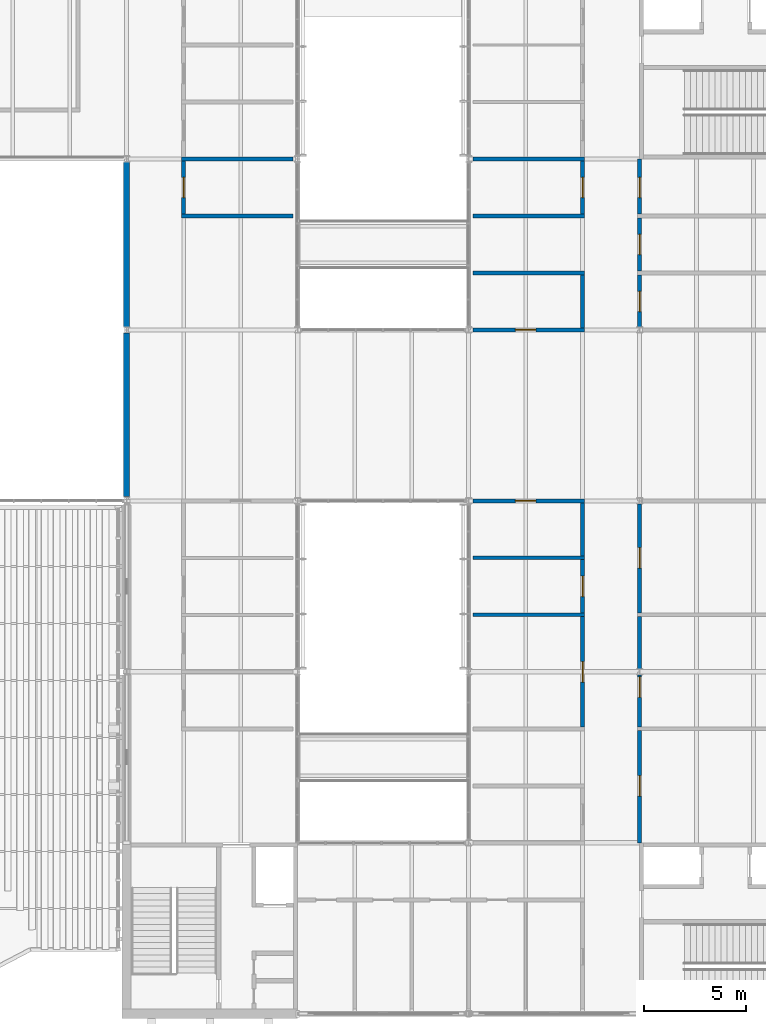
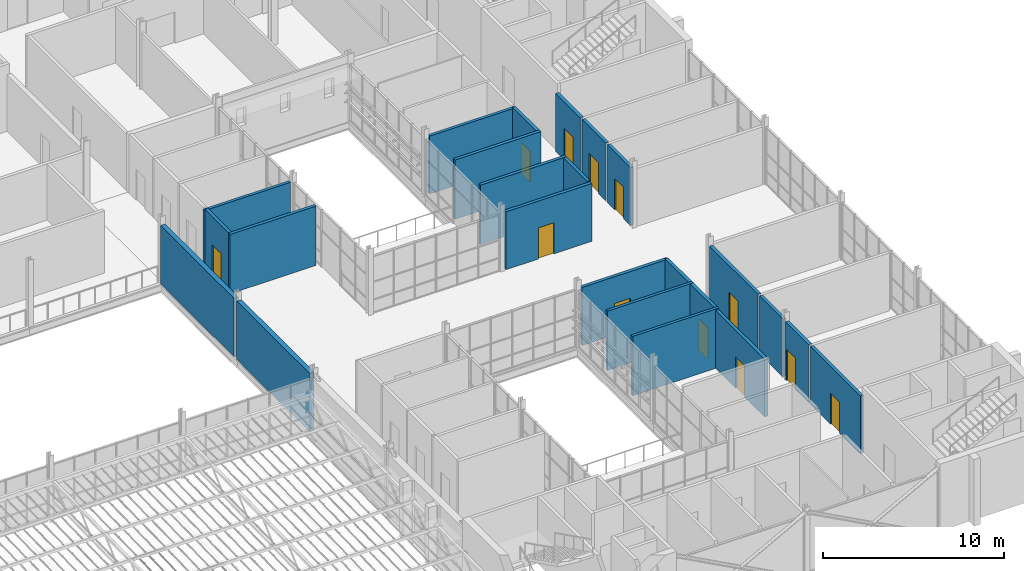
# One storey, part 89 of 129: 24 walls, 12 doors, 12 openings.
"""IFC4 building model written with IfcOpenShell, lengths in metres."""

import ifcopenshell
import ifcopenshell.guid

model = None  # the IFC model being written
_history = None  # IfcOwnerHistory: only IFC2X3 demands one
_inside = {}  # id of a spatial element -> (the spatial element, [elements in it])
_under = {}  # id of a project, library or spatial element -> (it, [spatial elements below it])
_declared = {}  # id of a project -> (the project, [libraries it declares])
_typed = {}  # id of a type object -> (the type object, [elements of that type])
_made_of = {}  # id of a material, layer set ... -> (it, [elements and type objects made of it])


def new_model(schema):
    """Start an empty IFC model of exactly this schema.

    Asked for "IFC4X3", IfcOpenShell would pick the latest addendum, in which some entities
    have other attributes; the version numbers below select the first issue.
    IFC2X3 requires an IfcOwnerHistory on every rooted entity: one is made here for all.
    """
    global model, _history
    if schema == "IFC4X3":
        model = ifcopenshell.file(schema_version=(4, 3, 0, 0))
    else:
        model = ifcopenshell.file(schema=schema)
    _inside.clear()
    _under.clear()
    _declared.clear()
    _typed.clear()
    _made_of.clear()
    _history = None
    if model.schema == "IFC2X3":
        org = make("IfcOrganization", Name="unknown")
        user = make(
            "IfcPersonAndOrganization",
            ThePerson=make("IfcPerson", FamilyName="unknown"),
            TheOrganization=org,
        )
        app = make(
            "IfcApplication",
            ApplicationDeveloper=org,
            Version="unknown",
            ApplicationFullName="unknown",
            ApplicationIdentifier="unknown",
        )
        _history = make(
            "IfcOwnerHistory",
            OwningUser=user,
            OwningApplication=app,
            ChangeAction="ADDED",
            CreationDate=0,
        )
    return model


def make(cls, **values):
    """One entity of the class cls with the attributes given. An attribute that is None is left unset."""
    return model.create_entity(
        cls, **{name: value for name, value in values.items() if value is not None}
    )


def rooted(cls, **values):
    """An entity with a GlobalId (a new one), such as an element, a storey or a relation."""
    return make(cls, GlobalId=ifcopenshell.guid.new(), OwnerHistory=_history, **values)


def si_unit(unit_type, name, prefix=None):
    """IfcSIUnit, for example si_unit("LENGTHUNIT", "METRE", prefix="MILLI")."""
    return make("IfcSIUnit", UnitType=unit_type, Prefix=prefix, Name=name)


def assignment(units):
    """IfcUnitAssignment: the units of a project."""
    return None if units is None else make("IfcUnitAssignment", Units=units)


def point(xyz):
    """IfcCartesianPoint."""
    return None if xyz is None else make("IfcCartesianPoint", Coordinates=xyz)


def direction(xyz):
    """IfcDirection."""
    return None if xyz is None else make("IfcDirection", DirectionRatios=xyz)


def frame(location, z_axis=None, x_axis=None):
    """IfcAxis2Placement3D, a coordinate frame: its origin and axes. An axis left out is left unset."""
    return make(
        "IfcAxis2Placement3D",
        Location=point(location),
        Axis=direction(z_axis),
        RefDirection=direction(x_axis),
    )


def frame_2d(location, x_axis=None):
    """IfcAxis2Placement2D, a coordinate frame in the plane: its origin and x axis."""
    return make(
        "IfcAxis2Placement2D", Location=point(location), RefDirection=direction(x_axis)
    )


def origin():
    """The frame at (0, 0, 0) with its axes left unset."""
    return frame((0.0, 0.0, 0.0))


def place(relative_to, where):
    """IfcLocalPlacement: puts the frame where relative to a parent placement (None: the world)."""
    return make(
        "IfcLocalPlacement", PlacementRelTo=relative_to, RelativePlacement=where
    )


def context(
    kind, dimensions, precision=None, world=None, true_north=None, identifier=None
):
    """IfcGeometricRepresentationContext, for example the 3D "Model" context."""
    return make(
        "IfcGeometricRepresentationContext",
        ContextIdentifier=identifier,
        ContextType=kind,
        CoordinateSpaceDimension=dimensions,
        Precision=precision,
        WorldCoordinateSystem=world,
        TrueNorth=true_north,
    )


def subcontext(parent, identifier, kind, view, scale=None):
    """IfcGeometricRepresentationSubContext, for example "Body" below "Model"."""
    return make(
        "IfcGeometricRepresentationSubContext",
        ContextIdentifier=identifier,
        ContextType=kind,
        ParentContext=parent,
        TargetScale=scale,
        TargetView=view,
    )


def project(units=None, contexts=None):
    """IfcProject with its units and contexts."""
    return rooted(
        "IfcProject",
        Name="project",
        RepresentationContexts=contexts,
        UnitsInContext=assignment(units),
    )


def spatial(cls, under=None, at=None, **own):
    """A site, building, storey or space (cls), placed at a placement, below another one or the project."""
    s = rooted(cls, ObjectPlacement=at, **own)
    if under is not None:
        _under.setdefault(under.id(), (under, []))[1].append(s)
    return s


def profile(cls, at=None, kind="AREA", **sizes):
    """A parametric profile (cls). Its sizes go by their IFC names, for example OverallWidth=200.0."""
    return make(cls, ProfileType=kind, Position=at, **sizes)


def rectangle(**sizes):
    """IfcRectangleProfileDef."""
    return profile("IfcRectangleProfileDef", **sizes)


def extrude(swept, where, along, depth):
    """IfcExtrudedAreaSolid: the profile swept, set in the frame where, extruded along a direction by depth."""
    return make(
        "IfcExtrudedAreaSolid",
        SweptArea=swept,
        Position=where,
        ExtrudedDirection=direction(along),
        Depth=depth,
    )


def shape(context_of_items, identifier, shape_type, items):
    """IfcShapeRepresentation: the items that make up one representation, for example the "Body"."""
    return make(
        "IfcShapeRepresentation",
        ContextOfItems=context_of_items,
        RepresentationIdentifier=identifier,
        RepresentationType=shape_type,
        Items=items,
    )


def material(Name=None, Category=None):
    """IfcMaterial."""
    return make("IfcMaterial", Name=Name, Category=Category)


def layer(
    of_material, thickness, ventilated=None, Name=None, Category=None, Priority=None
):
    """IfcMaterialLayer: one layer of a wall or slab, of a material (None: an air gap)."""
    return make(
        "IfcMaterialLayer",
        Material=of_material,
        LayerThickness=thickness,
        IsVentilated=ventilated,
        Name=Name,
        Category=Category,
        Priority=Priority,
    )


def layer_set(layers, Name=None):
    """IfcMaterialLayerSet."""
    return make("IfcMaterialLayerSet", MaterialLayers=layers, LayerSetName=Name)


def made_of(thing, what):
    """Note that an element or type object is made of a material, layer set ...; save() writes the relation."""
    if what is not None:
        _made_of.setdefault(what.id(), (what, []))[1].append(thing)
    return thing


def type_object(cls, material=None, **own):
    """A type object (cls), such as IfcWallType, which elements share."""
    return made_of(rooted(cls, **own), material)


def element(
    cls,
    number,
    at=None,
    inside=None,
    cuts=None,
    type_object=None,
    material=None,
    context=None,
    identifier="Body",
    shape_type=None,
    held_by="IfcProductDefinitionShape",
    body=None,
    shapes=None,
    **own,
):
    """One element of the class cls, such as IfcWall. Its Tag is "e" and its number.

    at: its placement. inside: the storey or other place that contains it. cuts: it is an
    opening in that element (IfcRelVoidsElement). A single representation is given by context,
    identifier, shape_type and body (its items); several are given by shapes. held_by: the class
    of the entity that holds the representations. save() writes the other relations.
    """
    e = rooted(cls, Tag="e%d" % number, ObjectPlacement=at, **own)
    if body is not None:
        shapes = [shape(context, identifier, shape_type, body)]
    if shapes is not None:
        e.Representation = make(held_by, Representations=shapes)
    if inside is not None:
        _inside.setdefault(inside.id(), (inside, []))[1].append(e)
    if cuts is not None:
        rooted(
            "IfcRelVoidsElement", RelatingBuildingElement=cuts, RelatedOpeningElement=e
        )
    if type_object is not None:
        _typed.setdefault(type_object.id(), (type_object, []))[1].append(e)
    return made_of(e, material)


def fill(opening, filler):
    """IfcRelFillsElement: the door or window that sits in an opening."""
    return rooted(
        "IfcRelFillsElement",
        RelatingOpeningElement=opening,
        RelatedBuildingElement=filler,
    )


def aggregate(whole, parts):
    """IfcRelAggregates: a whole, such as a stair, and the parts it consists of."""
    return rooted("IfcRelAggregates", RelatingObject=whole, RelatedObjects=parts)


def save(model, path):
    """Write the relations noted so far, then the file.

    IfcRelAggregates (storeys below a building ...), IfcRelContainedInSpatialStructure (elements
    in a storey), IfcRelDefinesByType, IfcRelAssociatesMaterial and IfcRelDeclares: one each for
    every whole, place, type object, material and project.
    """
    for whole, parts in _under.values():
        aggregate(whole, parts)
    for where, things in _inside.values():
        rooted(
            "IfcRelContainedInSpatialStructure",
            RelatedElements=things,
            RelatingStructure=where,
        )
    for kind, things in _typed.values():
        rooted("IfcRelDefinesByType", RelatedObjects=things, RelatingType=kind)
    for what, things in _made_of.values():
        rooted("IfcRelAssociatesMaterial", RelatedObjects=things, RelatingMaterial=what)
    for by, libraries in _declared.values():
        rooted("IfcRelDeclares", RelatingContext=by, RelatedDefinitions=libraries)
    model.write(path)


model = new_model("IFC4")

# Units and contexts
model_context = context("Model", 3, precision=1e-05, world=origin(), true_north=direction((0.0, 1.0)))
body_context = subcontext(model_context, "Body", "Model", "MODEL_VIEW")
ifc_project = project(units=[si_unit("LENGTHUNIT", "METRE"), si_unit("AREAUNIT", "SQUARE_METRE"), si_unit("VOLUMEUNIT", "CUBIC_METRE"), si_unit("PLANEANGLEUNIT", "RADIAN"), si_unit("MASSUNIT", "GRAM", prefix="KILO")], contexts=[model_context])

# Site, building, storey
site_placement = place(None, origin())
site = spatial("IfcSite", under=ifc_project, at=site_placement, CompositionType="ELEMENT")
building_placement = place(site_placement, origin())
building = spatial("IfcBuilding", under=site, at=building_placement, Name="Ardhachandra Cancer Care Centre", CompositionType="ELEMENT")
storey_placement = place(building_placement, frame((0.0, 0.0, 4.5)))
storey = spatial("IfcBuildingStorey", under=building, at=storey_placement, Name="L01", CompositionType="ELEMENT", Elevation=4.5)

# Walls
ifc_material_1 = material(Name="Double-stud gypsum board partition with mineral wool")
ifc_layer_1 = layer(ifc_material_1, 0.179931640625)
ifc_layer_set_1 = layer_set([ifc_layer_1], Name="Double-stud gypsum board partition with mineral wool")
wall_type_1 = type_object("IfcWallType", Name="ACOUSTIC PARTITION 180", PredefinedType="PARTITIONING", material=ifc_layer_set_1)
for number, where, z_axis, x_axis, name in (
    (1, (128.625, 49.0, 0.0), (0.0, 0.0, 1.0), (1.0, 0.0, 0.0), "R/wall/L01/h0049000_0128625"),
    (2, (128.625, 51.800048828125, 0.0), (0.0, 0.0, 1.0), (1.0, 0.0, 0.0), "R/wall/L01/h0051800_0128625"),
):
    element("IfcWall", number, at=place(storey_placement, frame(where, z_axis=z_axis, x_axis=x_axis)), inside=storey, type_object=wall_type_1, Name=name, PredefinedType="PARTITIONING", context=body_context, shape_type="SweptSolid", body=[
        extrude(rectangle(XDim=5.47509765625, YDim=0.179931640625, at=frame_2d((2.737548828125, 0.0))), origin(), (0.0, 0.0, 1.0), 3.99609375),
    ])
wall_1_placement = place(storey_placement, frame((114.300048828125, 71.39990234375, 0.0), z_axis=(0.0, 0.0, 1.0), x_axis=(1.0, 0.0, 0.0)))
element("IfcWall", 3, at=wall_1_placement, inside=storey, type_object=wall_type_1, Name="R/wall/L01/h0071400_0114300", PredefinedType="PARTITIONING", context=body_context, shape_type="SweptSolid", body=[
    extrude(rectangle(XDim=5.474853515625, YDim=0.179931640625, at=frame_2d((2.7373046875, 0.0))), origin(), (0.0, 0.0, 1.0), 3.89990234375),
])
wall_2_placement = place(storey_placement, frame((128.625, 71.39990234375, 0.0), z_axis=(0.0, 0.0, 1.0), x_axis=(1.0, 0.0, 0.0)))
element("IfcWall", 4, at=wall_2_placement, inside=storey, type_object=wall_type_1, Name="R/wall/L01/h0071400_0128625", PredefinedType="PARTITIONING", context=body_context, shape_type="SweptSolid", body=[
    extrude(rectangle(XDim=5.47509765625, YDim=0.179931640625, at=frame_2d((2.737548828125, 0.0))), origin(), (0.0, 0.0, 1.0), 3.89990234375),
])

# Wall, opening, door
ifc_material_2 = material(Name="Gypsum board corridor partition on steel studs", Category="steel")
ifc_layer_2 = layer(ifc_material_2, 0.199951171875)
ifc_layer_set_2 = layer_set([ifc_layer_2], Name="Gypsum board corridor partition on steel studs")
wall_type_2 = type_object("IfcWallType", Name="CORRIDOR WALL 200", PredefinedType="PARTITIONING", material=ifc_layer_set_2)
wall_3_placement = place(storey_placement, frame((128.625, 54.60009765625, 0.0), z_axis=(0.0, 0.0, 1.0), x_axis=(1.0, 0.0, 0.0)))
wall_3 = element("IfcWall", 5, at=wall_3_placement, inside=storey, type_object=wall_type_2, Name="R/wall/L01/h0054600_0128625", PredefinedType="PARTITIONING", context=body_context, shape_type="SweptSolid", body=[
    extrude(rectangle(XDim=5.47509765625, YDim=0.199951171875, at=frame_2d((2.737548828125, 0.0))), origin(), (0.0, 0.0, 1.0), 3.89990234375),
])
opening_1_placement = place(wall_3_placement, frame((2.074951171875, 0.0, 0.0)))
opening_1 = element("IfcOpeningElement", 6, at=opening_1_placement, cuts=wall_3, Name="Opening L01-0006", PredefinedType="OPENING", context=body_context, shape_type="SweptSolid", body=[
    extrude(rectangle(XDim=1.0, YDim=2.10009765625, at=frame_2d((0.5, 1.050048828125))), frame((0.0, 0.10986328125, 0.0), z_axis=(0.0, -1.0, 0.0), x_axis=(1.0, 0.0, 0.0)), (0.0, 0.0, 1.0), 0.219970703125),
])
ifc_material_3 = material(Name="Timber fire door with smoke seals", Category="wood")
door_type = type_object("IfcDoorType", Name="FIRE DOOR SINGLE 1000x2100 FD30S", OperationType="NOTDEFINED", PredefinedType="DOOR", material=ifc_material_3)
door_1_placement = place(opening_1_placement, origin())
door_1 = element("IfcDoor", 7, at=door_1_placement, inside=storey, type_object=door_type, Name="Door L01-0006", OperationType="SINGLE_SWING_RIGHT", OverallHeight=2.10009765625, OverallWidth=1.0, PredefinedType="DOOR", context=body_context, shape_type="SweptSolid", body=[
    extrude(rectangle(XDim=1.0, YDim=2.10009765625, at=frame_2d((0.5, 1.050048828125))), frame((0.0, 0.02490234375, 0.0), z_axis=(0.0, -1.0, 0.0), x_axis=(1.0, 0.0, 0.0)), (0.0, 0.0, 1.0), 0.050048828125),
])
fill(opening_1, door_1)

wall_4_placement = place(storey_placement, frame((128.625, 63.0, 0.0), z_axis=(0.0, 0.0, 1.0), x_axis=(1.0, 0.0, 0.0)))
wall_4 = element("IfcWall", 8, at=wall_4_placement, inside=storey, type_object=wall_type_2, Name="R/wall/L01/h0063000_0128625", PredefinedType="PARTITIONING", context=body_context, shape_type="SweptSolid", body=[
    extrude(rectangle(XDim=5.47509765625, YDim=0.199951171875, at=frame_2d((2.737548828125, 0.0))), origin(), (0.0, 0.0, 1.0), 3.89990234375),
])
opening_2_placement = place(wall_4_placement, frame((2.074951171875, 0.0, 0.0)))
opening_2 = element("IfcOpeningElement", 9, at=opening_2_placement, cuts=wall_4, Name="Opening L01-0007", PredefinedType="OPENING", context=body_context, shape_type="SweptSolid", body=[
    extrude(rectangle(XDim=1.0, YDim=2.10009765625, at=frame_2d((0.5, 1.050048828125))), frame((0.0, 0.10986328125, 0.0), z_axis=(0.0, -1.0, 0.0), x_axis=(1.0, 0.0, 0.0)), (0.0, 0.0, 1.0), 0.219970703125),
])
door_2_placement = place(opening_2_placement, origin())
door_2 = element("IfcDoor", 10, at=door_2_placement, inside=storey, type_object=door_type, Name="Door L01-0007", OperationType="SINGLE_SWING_LEFT", OverallHeight=2.10009765625, OverallWidth=1.0, PredefinedType="DOOR", context=body_context, shape_type="SweptSolid", body=[
    extrude(rectangle(XDim=1.0, YDim=2.10009765625, at=frame_2d((0.5, 1.050048828125))), frame((0.0, 0.02490234375, 0.0), z_axis=(0.0, -1.0, 0.0), x_axis=(1.0, 0.0, 0.0)), (0.0, 0.0, 1.0), 0.050048828125),
])
fill(opening_2, door_2)

# Walls
wall_5_placement = place(storey_placement, frame((128.625, 65.800048828125, 0.0), z_axis=(0.0, 0.0, 1.0), x_axis=(1.0, 0.0, 0.0)))
element("IfcWall", 11, at=wall_5_placement, inside=storey, type_object=wall_type_2, Name="R/wall/L01/h0065800_0128625", PredefinedType="PARTITIONING", context=body_context, shape_type="SweptSolid", body=[
    extrude(rectangle(XDim=5.47509765625, YDim=0.199951171875, at=frame_2d((2.737548828125, 0.0))), origin(), (0.0, 0.0, 1.0), 3.99609375),
])
wall_6_placement = place(storey_placement, frame((114.300048828125, 68.60009765625, 0.0), z_axis=(0.0, 0.0, 1.0), x_axis=(1.0, 0.0, 0.0)))
element("IfcWall", 12, at=wall_6_placement, inside=storey, type_object=wall_type_2, Name="R/wall/L01/h0068600_0114300", PredefinedType="PARTITIONING", context=body_context, shape_type="SweptSolid", body=[
    extrude(rectangle(XDim=5.474853515625, YDim=0.199951171875, at=frame_2d((2.7373046875, 0.0))), origin(), (0.0, 0.0, 1.0), 3.99609375),
])
wall_7_placement = place(storey_placement, frame((128.625, 68.60009765625, 0.0), z_axis=(0.0, 0.0, 1.0), x_axis=(1.0, 0.0, 0.0)))
element("IfcWall", 13, at=wall_7_placement, inside=storey, type_object=wall_type_2, Name="R/wall/L01/h0068600_0128625", PredefinedType="PARTITIONING", context=body_context, shape_type="SweptSolid", body=[
    extrude(rectangle(XDim=5.47509765625, YDim=0.199951171875, at=frame_2d((2.737548828125, 0.0))), origin(), (0.0, 0.0, 1.0), 3.99609375),
])

# Wall, opening, door
wall_8_placement = place(storey_placement, frame((114.39990234375, 68.699951171875, 0.0), z_axis=(0.0, 0.0, 1.0), x_axis=(0.0, 1.0, 0.0)))
wall_8 = element("IfcWall", 14, at=wall_8_placement, inside=storey, type_object=wall_type_2, Name="R/wall/L01/v0114400_0068700", PredefinedType="PARTITIONING", context=body_context, shape_type="SweptSolid", body=[
    extrude(rectangle(XDim=2.610107421875, YDim=0.199951171875, at=frame_2d((1.30517578125, 0.0))), origin(), (0.0, 0.0, 1.0), 3.99609375),
])
opening_3_placement = place(wall_8_placement, frame((0.800048828125, 0.0, 0.0)))
opening_3 = element("IfcOpeningElement", 15, at=opening_3_placement, cuts=wall_8, Name="Opening L01-0072", PredefinedType="OPENING", context=body_context, shape_type="SweptSolid", body=[
    extrude(rectangle(XDim=1.0, YDim=2.10009765625, at=frame_2d((0.5, 1.050048828125))), frame((0.0, 0.10986328125, 0.0), z_axis=(0.0, -1.0, 0.0), x_axis=(1.0, 0.0, 0.0)), (0.0, 0.0, 1.0), 0.219970703125),
])
door_3_placement = place(opening_3_placement, origin())
door_3 = element("IfcDoor", 16, at=door_3_placement, inside=storey, type_object=door_type, Name="Door L01-0072", OperationType="SINGLE_SWING_RIGHT", OverallHeight=2.10009765625, OverallWidth=1.0, PredefinedType="DOOR", context=body_context, shape_type="SweptSolid", body=[
    extrude(rectangle(XDim=1.0, YDim=2.10009765625, at=frame_2d((0.5, 1.050048828125))), frame((0.0, 0.02490234375, 0.0), z_axis=(0.0, -1.0, 0.0), x_axis=(1.0, 0.0, 0.0)), (0.0, 0.0, 1.0), 0.050048828125),
])
fill(opening_3, door_3)

wall_9_placement = place(storey_placement, frame((134.0, 43.5, 0.0), z_axis=(0.0, 0.0, 1.0), x_axis=(0.0, 1.0, 0.0)))
wall_9 = element("IfcWall", 17, at=wall_9_placement, inside=storey, type_object=wall_type_2, Name="R/wall/L01/v0134000_0043500", PredefinedType="PARTITIONING", context=body_context, shape_type="SweptSolid", body=[
    extrude(rectangle(XDim=5.409912109375, YDim=0.199951171875, at=frame_2d((2.705078125, 0.0))), origin(), (0.0, 0.0, 1.0), 3.89990234375),
])
opening_4_placement = place(wall_9_placement, frame((2.199951171875, 0.0, 0.0)))
opening_4 = element("IfcOpeningElement", 18, at=opening_4_placement, cuts=wall_9, Name="Opening L01-0079", PredefinedType="OPENING", context=body_context, shape_type="SweptSolid", body=[
    extrude(rectangle(XDim=1.0, YDim=2.10009765625, at=frame_2d((0.5, 1.050048828125))), frame((0.0, 0.10986328125, 0.0), z_axis=(0.0, -1.0, 0.0), x_axis=(1.0, 0.0, 0.0)), (0.0, 0.0, 1.0), 0.219970703125),
])
door_4_placement = place(opening_4_placement, origin())
door_4 = element("IfcDoor", 19, at=door_4_placement, inside=storey, type_object=door_type, Name="Door L01-0079", OperationType="SINGLE_SWING_RIGHT", OverallHeight=2.10009765625, OverallWidth=1.0, PredefinedType="DOOR", context=body_context, shape_type="SweptSolid", body=[
    extrude(rectangle(XDim=1.0, YDim=2.10009765625, at=frame_2d((0.5, 1.050048828125))), frame((0.0, 0.02490234375, 0.0), z_axis=(0.0, -1.0, 0.0), x_axis=(1.0, 0.0, 0.0)), (0.0, 0.0, 1.0), 0.050048828125),
])
fill(opening_4, door_4)

wall_10_placement = place(storey_placement, frame((134.0, 49.090087890625, 0.0), z_axis=(0.0, 0.0, 1.0), x_axis=(0.0, 1.0, 0.0)))
wall_10 = element("IfcWall", 20, at=wall_10_placement, inside=storey, type_object=wall_type_2, Name="R/wall/L01/v0134000_0049090", PredefinedType="PARTITIONING", context=body_context, shape_type="SweptSolid", body=[
    extrude(rectangle(XDim=2.619873046875, YDim=0.199951171875, at=frame_2d((1.31005859375, 0.0))), origin(), (0.0, 0.0, 1.0), 3.99609375),
])
opening_5_placement = place(wall_10_placement, frame((0.81005859375, 0.0, 0.0)))
opening_5 = element("IfcOpeningElement", 21, at=opening_5_placement, cuts=wall_10, Name="Opening L01-0080", PredefinedType="OPENING", context=body_context, shape_type="SweptSolid", body=[
    extrude(rectangle(XDim=1.0, YDim=2.10009765625, at=frame_2d((0.5, 1.050048828125))), frame((0.0, 0.10986328125, 0.0), z_axis=(0.0, -1.0, 0.0), x_axis=(1.0, 0.0, 0.0)), (0.0, 0.0, 1.0), 0.219970703125),
])
door_5_placement = place(opening_5_placement, origin())
door_5 = element("IfcDoor", 22, at=door_5_placement, inside=storey, type_object=door_type, Name="Door L01-0080", OperationType="SINGLE_SWING_RIGHT", OverallHeight=2.10009765625, OverallWidth=1.0, PredefinedType="DOOR", context=body_context, shape_type="SweptSolid", body=[
    extrude(rectangle(XDim=1.0, YDim=2.10009765625, at=frame_2d((0.5, 1.050048828125))), frame((0.0, 0.02490234375, 0.0), z_axis=(0.0, -1.0, 0.0), x_axis=(1.0, 0.0, 0.0)), (0.0, 0.0, 1.0), 0.050048828125),
])
fill(opening_5, door_5)

# Walls
wall_11_placement = place(storey_placement, frame((134.0, 51.889892578125, 0.0), z_axis=(0.0, 0.0, 1.0), x_axis=(0.0, 1.0, 0.0)))
element("IfcWall", 23, at=wall_11_placement, inside=storey, type_object=wall_type_2, Name="R/wall/L01/v0134000_0051890", PredefinedType="PARTITIONING", context=body_context, shape_type="SweptSolid", body=[
    extrude(rectangle(XDim=2.610107421875, YDim=0.199951171875, at=frame_2d((1.30517578125, 0.0))), origin(), (0.0, 0.0, 1.0), 3.99609375),
])
wall_12_placement = place(storey_placement, frame((134.0, 63.10009765625, 0.0), z_axis=(0.0, 0.0, 1.0), x_axis=(0.0, 1.0, 0.0)))
element("IfcWall", 24, at=wall_12_placement, inside=storey, type_object=wall_type_2, Name="R/wall/L01/v0134000_0063100", PredefinedType="PARTITIONING", context=body_context, shape_type="SweptSolid", body=[
    extrude(rectangle(XDim=2.599853515625, YDim=0.199951171875, at=frame_2d((1.2998046875, 0.0))), origin(), (0.0, 0.0, 1.0), 3.99609375),
])

# Wall, opening, door
wall_13_placement = place(storey_placement, frame((134.0, 68.699951171875, 0.0), z_axis=(0.0, 0.0, 1.0), x_axis=(0.0, 1.0, 0.0)))
wall_13 = element("IfcWall", 25, at=wall_13_placement, inside=storey, type_object=wall_type_2, Name="R/wall/L01/v0134000_0068700", PredefinedType="PARTITIONING", context=body_context, shape_type="SweptSolid", body=[
    extrude(rectangle(XDim=2.610107421875, YDim=0.199951171875, at=frame_2d((1.30517578125, 0.0))), origin(), (0.0, 0.0, 1.0), 3.99609375),
])
opening_6_placement = place(wall_13_placement, frame((0.800048828125, 0.0, 0.0)))
opening_6 = element("IfcOpeningElement", 26, at=opening_6_placement, cuts=wall_13, Name="Opening L01-0081", PredefinedType="OPENING", context=body_context, shape_type="SweptSolid", body=[
    extrude(rectangle(XDim=1.0, YDim=2.10009765625, at=frame_2d((0.5, 1.050048828125))), frame((0.0, 0.10986328125, 0.0), z_axis=(0.0, -1.0, 0.0), x_axis=(1.0, 0.0, 0.0)), (0.0, 0.0, 1.0), 0.219970703125),
])
door_6_placement = place(opening_6_placement, origin())
door_6 = element("IfcDoor", 27, at=door_6_placement, inside=storey, type_object=door_type, Name="Door L01-0081", OperationType="SINGLE_SWING_LEFT", OverallHeight=2.10009765625, OverallWidth=1.0, PredefinedType="DOOR", context=body_context, shape_type="SweptSolid", body=[
    extrude(rectangle(XDim=1.0, YDim=2.10009765625, at=frame_2d((0.5, 1.050048828125))), frame((0.0, 0.02490234375, 0.0), z_axis=(0.0, -1.0, 0.0), x_axis=(1.0, 0.0, 0.0)), (0.0, 0.0, 1.0), 0.050048828125),
])
fill(opening_6, door_6)

wall_14_placement = place(storey_placement, frame((136.800048828125, 37.800048828125, 0.0), z_axis=(0.0, 0.0, 1.0), x_axis=(0.0, 1.0, 0.0)))
wall_14 = element("IfcWall", 28, at=wall_14_placement, inside=storey, type_object=wall_type_2, Name="R/wall/L01/v0136800_0037800", PredefinedType="PARTITIONING", context=body_context, shape_type="SweptSolid", body=[
    extrude(rectangle(XDim=5.510009765625, YDim=0.199951171875, at=frame_2d((2.7548828125, 0.0))), origin(), (0.0, 0.0, 1.0), 3.89990234375),
])
opening_7_placement = place(wall_14_placement, frame((2.300048828125, 0.0, 0.0)))
opening_7 = element("IfcOpeningElement", 29, at=opening_7_placement, cuts=wall_14, Name="Opening L01-0086", PredefinedType="OPENING", context=body_context, shape_type="SweptSolid", body=[
    extrude(rectangle(XDim=1.0, YDim=2.10009765625, at=frame_2d((0.5, 1.050048828125))), frame((0.0, 0.10986328125, 0.0), z_axis=(0.0, -1.0, 0.0), x_axis=(1.0, 0.0, 0.0)), (0.0, 0.0, 1.0), 0.219970703125),
])
door_7_placement = place(opening_7_placement, origin())
door_7 = element("IfcDoor", 30, at=door_7_placement, inside=storey, type_object=door_type, Name="Door L01-0086", OperationType="SINGLE_SWING_LEFT", OverallHeight=2.10009765625, OverallWidth=1.0, PredefinedType="DOOR", context=body_context, shape_type="SweptSolid", body=[
    extrude(rectangle(XDim=1.0, YDim=2.10009765625, at=frame_2d((0.5, 1.050048828125))), frame((0.0, 0.02490234375, 0.0), z_axis=(0.0, -1.0, 0.0), x_axis=(1.0, 0.0, 0.0)), (0.0, 0.0, 1.0), 0.050048828125),
])
fill(opening_7, door_7)

wall_15_placement = place(storey_placement, frame((136.800048828125, 43.489990234375, 0.0), z_axis=(0.0, 0.0, 1.0), x_axis=(0.0, 1.0, 0.0)))
wall_15 = element("IfcWall", 31, at=wall_15_placement, inside=storey, type_object=wall_type_2, Name="R/wall/L01/v0136800_0043490", PredefinedType="PARTITIONING", context=body_context, shape_type="SweptSolid", body=[
    extrude(rectangle(XDim=2.56005859375, YDim=0.199951171875, at=frame_2d((1.280029296875, 0.0))), origin(), (0.0, 0.0, 1.0), 3.89990234375),
])
opening_8_placement = place(wall_15_placement, frame((1.4599609375, 0.0, 0.0)))
opening_8 = element("IfcOpeningElement", 32, at=opening_8_placement, cuts=wall_15, Name="Opening L01-0087", PredefinedType="OPENING", context=body_context, shape_type="SweptSolid", body=[
    extrude(rectangle(XDim=1.0, YDim=2.10009765625, at=frame_2d((0.5, 1.050048828125))), frame((0.0, 0.10986328125, 0.0), z_axis=(0.0, -1.0, 0.0), x_axis=(1.0, 0.0, 0.0)), (0.0, 0.0, 1.0), 0.219970703125),
])
door_8_placement = place(opening_8_placement, origin())
door_8 = element("IfcDoor", 33, at=door_8_placement, inside=storey, type_object=door_type, Name="Door L01-0087", OperationType="SINGLE_SWING_LEFT", OverallHeight=2.10009765625, OverallWidth=1.0, PredefinedType="DOOR", context=body_context, shape_type="SweptSolid", body=[
    extrude(rectangle(XDim=1.0, YDim=2.10009765625, at=frame_2d((0.5, 1.050048828125))), frame((0.0, 0.02490234375, 0.0), z_axis=(0.0, -1.0, 0.0), x_axis=(1.0, 0.0, 0.0)), (0.0, 0.0, 1.0), 0.050048828125),
])
fill(opening_8, door_8)

# Wall
wall_16_placement = place(storey_placement, frame((136.800048828125, 46.35009765625, 0.0), z_axis=(0.0, 0.0, 1.0), x_axis=(0.0, 1.0, 0.0)))
element("IfcWall", 34, at=wall_16_placement, inside=storey, type_object=wall_type_2, Name="R/wall/L01/v0136800_0046350", PredefinedType="PARTITIONING", context=body_context, shape_type="SweptSolid", body=[
    extrude(rectangle(XDim=2.559814453125, YDim=0.199951171875, at=frame_2d((1.27978515625, 0.0))), origin(), (0.0, 0.0, 1.0), 3.89990234375),
])

# Wall, opening, door
wall_17_placement = place(storey_placement, frame((136.800048828125, 49.090087890625, 0.0), z_axis=(0.0, 0.0, 1.0), x_axis=(0.0, 1.0, 0.0)))
wall_17 = element("IfcWall", 35, at=wall_17_placement, inside=storey, type_object=wall_type_2, Name="R/wall/L01/v0136800_0049090", PredefinedType="PARTITIONING", context=body_context, shape_type="SweptSolid", body=[
    extrude(rectangle(XDim=5.35986328125, YDim=0.199951171875, at=frame_2d((2.679931640625, 0.0))), origin(), (0.0, 0.0, 1.0), 3.89990234375),
])
opening_9_placement = place(wall_17_placement, frame((2.2099609375, 0.0, 0.0)))
opening_9 = element("IfcOpeningElement", 36, at=opening_9_placement, cuts=wall_17, Name="Opening L01-0088", PredefinedType="OPENING", context=body_context, shape_type="SweptSolid", body=[
    extrude(rectangle(XDim=1.0, YDim=2.10009765625, at=frame_2d((0.5, 1.050048828125))), frame((0.0, 0.10986328125, 0.0), z_axis=(0.0, -1.0, 0.0), x_axis=(1.0, 0.0, 0.0)), (0.0, 0.0, 1.0), 0.219970703125),
])
door_9_placement = place(opening_9_placement, origin())
door_9 = element("IfcDoor", 37, at=door_9_placement, inside=storey, type_object=door_type, Name="Door L01-0088", OperationType="SINGLE_SWING_LEFT", OverallHeight=2.10009765625, OverallWidth=1.0, PredefinedType="DOOR", context=body_context, shape_type="SweptSolid", body=[
    extrude(rectangle(XDim=1.0, YDim=2.10009765625, at=frame_2d((0.5, 1.050048828125))), frame((0.0, 0.02490234375, 0.0), z_axis=(0.0, -1.0, 0.0), x_axis=(1.0, 0.0, 0.0)), (0.0, 0.0, 1.0), 0.050048828125),
])
fill(opening_9, door_9)

wall_18_placement = place(storey_placement, frame((136.800048828125, 63.14990234375, 0.0), z_axis=(0.0, 0.0, 1.0), x_axis=(0.0, 1.0, 0.0)))
wall_18 = element("IfcWall", 38, at=wall_18_placement, inside=storey, type_object=wall_type_2, Name="R/wall/L01/v0136800_0063150", PredefinedType="PARTITIONING", context=body_context, shape_type="SweptSolid", body=[
    extrude(rectangle(XDim=2.56005859375, YDim=0.199951171875, at=frame_2d((1.280029296875, 0.0))), origin(), (0.0, 0.0, 1.0), 3.89990234375),
])
opening_10_placement = place(wall_18_placement, frame((0.75, 0.0, 0.0)))
opening_10 = element("IfcOpeningElement", 39, at=opening_10_placement, cuts=wall_18, Name="Opening L01-0089", PredefinedType="OPENING", context=body_context, shape_type="SweptSolid", body=[
    extrude(rectangle(XDim=1.0, YDim=2.10009765625, at=frame_2d((0.5, 1.050048828125))), frame((0.0, 0.10986328125, 0.0), z_axis=(0.0, -1.0, 0.0), x_axis=(1.0, 0.0, 0.0)), (0.0, 0.0, 1.0), 0.219970703125),
])
door_10_placement = place(opening_10_placement, origin())
door_10 = element("IfcDoor", 40, at=door_10_placement, inside=storey, type_object=door_type, Name="Door L01-0089", OperationType="SINGLE_SWING_RIGHT", OverallHeight=2.10009765625, OverallWidth=1.0, PredefinedType="DOOR", context=body_context, shape_type="SweptSolid", body=[
    extrude(rectangle(XDim=1.0, YDim=2.10009765625, at=frame_2d((0.5, 1.050048828125))), frame((0.0, 0.02490234375, 0.0), z_axis=(0.0, -1.0, 0.0), x_axis=(1.0, 0.0, 0.0)), (0.0, 0.0, 1.0), 0.050048828125),
])
fill(opening_10, door_10)

wall_19_placement = place(storey_placement, frame((136.800048828125, 65.889892578125, 0.0), z_axis=(0.0, 0.0, 1.0), x_axis=(0.0, 1.0, 0.0)))
wall_19 = element("IfcWall", 41, at=wall_19_placement, inside=storey, type_object=wall_type_2, Name="R/wall/L01/v0136800_0065890", PredefinedType="PARTITIONING", context=body_context, shape_type="SweptSolid", body=[
    extrude(rectangle(XDim=2.6201171875, YDim=0.199951171875, at=frame_2d((1.31005859375, 0.0))), origin(), (0.0, 0.0, 1.0), 3.89990234375),
])
opening_11_placement = place(wall_19_placement, frame((0.81005859375, 0.0, 0.0)))
opening_11 = element("IfcOpeningElement", 42, at=opening_11_placement, cuts=wall_19, Name="Opening L01-0090", PredefinedType="OPENING", context=body_context, shape_type="SweptSolid", body=[
    extrude(rectangle(XDim=1.0, YDim=2.10009765625, at=frame_2d((0.5, 1.050048828125))), frame((0.0, 0.10986328125, 0.0), z_axis=(0.0, -1.0, 0.0), x_axis=(1.0, 0.0, 0.0)), (0.0, 0.0, 1.0), 0.219970703125),
])
door_11_placement = place(opening_11_placement, origin())
door_11 = element("IfcDoor", 43, at=door_11_placement, inside=storey, type_object=door_type, Name="Door L01-0090", OperationType="SINGLE_SWING_RIGHT", OverallHeight=2.10009765625, OverallWidth=1.0, PredefinedType="DOOR", context=body_context, shape_type="SweptSolid", body=[
    extrude(rectangle(XDim=1.0, YDim=2.10009765625, at=frame_2d((0.5, 1.050048828125))), frame((0.0, 0.02490234375, 0.0), z_axis=(0.0, -1.0, 0.0), x_axis=(1.0, 0.0, 0.0)), (0.0, 0.0, 1.0), 0.050048828125),
])
fill(opening_11, door_11)

wall_20_placement = place(storey_placement, frame((136.800048828125, 68.68994140625, 0.0), z_axis=(0.0, 0.0, 1.0), x_axis=(0.0, 1.0, 0.0)))
wall_20 = element("IfcWall", 44, at=wall_20_placement, inside=storey, type_object=wall_type_2, Name="R/wall/L01/v0136800_0068690", PredefinedType="PARTITIONING", context=body_context, shape_type="SweptSolid", body=[
    extrude(rectangle(XDim=2.7099609375, YDim=0.199951171875, at=frame_2d((1.35498046875, 0.0))), origin(), (0.0, 0.0, 1.0), 3.89990234375),
])
opening_12_placement = place(wall_20_placement, frame((0.81005859375, 0.0, 0.0)))
opening_12 = element("IfcOpeningElement", 45, at=opening_12_placement, cuts=wall_20, Name="Opening L01-0091", PredefinedType="OPENING", context=body_context, shape_type="SweptSolid", body=[
    extrude(rectangle(XDim=1.0, YDim=2.10009765625, at=frame_2d((0.5, 1.050048828125))), frame((0.0, 0.10986328125, 0.0), z_axis=(0.0, -1.0, 0.0), x_axis=(1.0, 0.0, 0.0)), (0.0, 0.0, 1.0), 0.219970703125),
])
door_12_placement = place(opening_12_placement, origin())
door_12 = element("IfcDoor", 46, at=door_12_placement, inside=storey, type_object=door_type, Name="Door L01-0091", OperationType="SINGLE_SWING_RIGHT", OverallHeight=2.10009765625, OverallWidth=1.0, PredefinedType="DOOR", context=body_context, shape_type="SweptSolid", body=[
    extrude(rectangle(XDim=1.0, YDim=2.10009765625, at=frame_2d((0.5, 1.050048828125))), frame((0.0, 0.02490234375, 0.0), z_axis=(0.0, -1.0, 0.0), x_axis=(1.0, 0.0, 0.0)), (0.0, 0.0, 1.0), 0.050048828125),
])
fill(opening_12, door_12)

# Walls
ifc_material_4 = material(Name="Brick masonry", Category="masonry")
ifc_layer_3 = layer(ifc_material_4, 0.300048828125)
ifc_layer_set_3 = layer_set([ifc_layer_3], Name="Brick masonry")
wall_type_3 = type_object("IfcWallType", Name="HALL WALL 300", PredefinedType="SOLIDWALL", material=ifc_layer_set_3)
wall_21_placement = place(storey_placement, frame((111.60009765625, 54.824951171875, 0.0), z_axis=(0.0, 0.0, 1.0), x_axis=(0.0, 1.0, 0.0)))
element("IfcWall", 47, at=wall_21_placement, inside=storey, type_object=wall_type_3, Name="R/wall/L01/v0111600_0054825", PredefinedType="SOLIDWALL", context=body_context, shape_type="SweptSolid", body=[
    extrude(rectangle(XDim=8.025146484375, YDim=0.300048828125, at=frame_2d((4.0126953125, 0.0))), origin(), (0.0, 0.0, 1.0), 3.93603515625),
])
wall_22_placement = place(storey_placement, frame((111.60009765625, 63.14990234375, 0.0), z_axis=(0.0, 0.0, 1.0), x_axis=(0.0, 1.0, 0.0)))
element("IfcWall", 48, at=wall_22_placement, inside=storey, type_object=wall_type_3, Name="R/wall/L01/v0111600_0063150", PredefinedType="SOLIDWALL", context=body_context, shape_type="SweptSolid", body=[
    extrude(rectangle(XDim=8.10009765625, YDim=0.300048828125, at=frame_2d((4.050048828125, 0.0))), origin(), (0.0, 0.0, 1.0), 3.93603515625),
])

save(model, "model.ifc")
